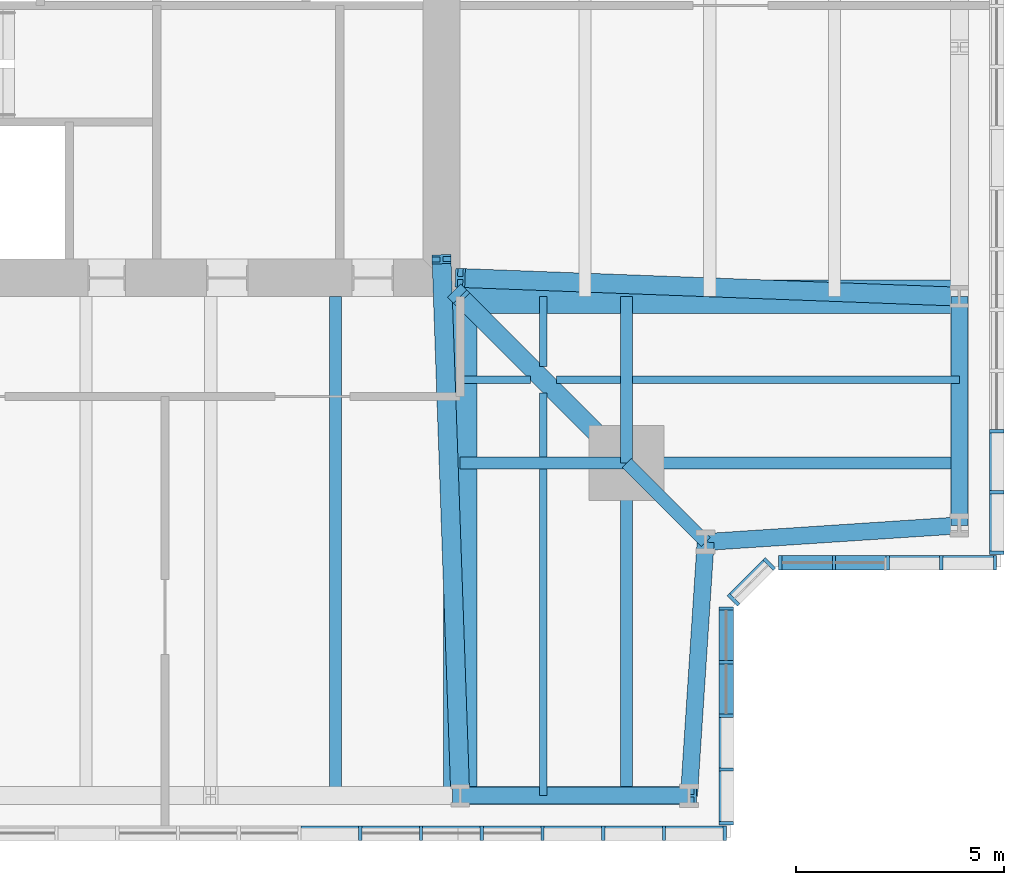
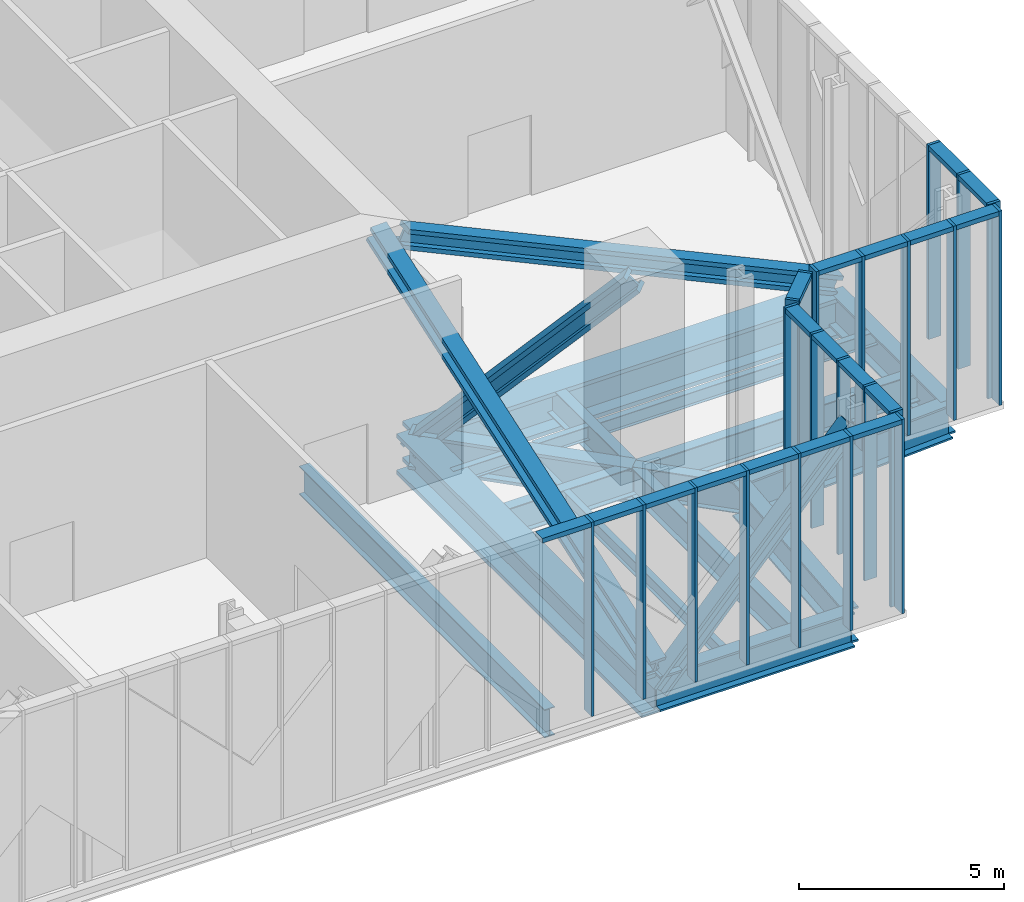
# One storey, part 4 of 18: 44 members, 19 beams, 5 elements without a shape of their own.
"""IFC4 building model written with IfcOpenShell, lengths in metres."""

from ifc_helpers import new_model, si_unit, direction, frame, origin, origin_2d, place, context, subcontext, project, spatial, rectangle, i_section, extrude, material, material_profile, profile_set, type_object, element, aggregate, save


model = new_model("IFC4")

# Units and contexts
model_context = context("Model", 3, precision=1e-05, world=origin(), true_north=direction((0.0, 1.0)))
body_context = subcontext(model_context, "Body", "Model", "MODEL_VIEW")
ifc_project = project(units=[si_unit("LENGTHUNIT", "METRE"), si_unit("AREAUNIT", "SQUARE_METRE"), si_unit("VOLUMEUNIT", "CUBIC_METRE"), si_unit("PLANEANGLEUNIT", "RADIAN"), si_unit("MASSUNIT", "GRAM", prefix="KILO")], contexts=[model_context])

# Site, building, storey
site_placement = place(None, origin())
site = spatial("IfcSite", under=ifc_project, at=site_placement, CompositionType="ELEMENT")
building_placement = place(site_placement, origin())
building = spatial("IfcBuilding", under=site, at=building_placement, Name="Fenwick Lantern Interchange", CompositionType="ELEMENT")
storey_placement = place(building_placement, frame((0.0, 0.0, 301.800048828125)))
storey = spatial("IfcBuildingStorey", under=building, at=storey_placement, Name="L73", CompositionType="ELEMENT", Elevation=301.800048828125)

# Member
ifc_material_1 = material(Name="Steel ASTM A992 Grade 50", Category="steel")
ifc_material_profile_1 = material_profile(ifc_material_1, i_section(OverallWidth=0.431884765625, OverallDepth=0.497802734375, WebThickness=0.0556640625, FlangeThickness=0.0888671875, at=origin_2d()), Name="W14X500")
ifc_profile_set_1 = profile_set([ifc_material_profile_1], Name="Steel ASTM A992 Grade 50")
member_type_1 = type_object("IfcMemberType", Name="BELT TRUSS DIAGONAL W14X500", PredefinedType="BRACE", material=ifc_profile_set_1)
member_1_placement = place(storey_placement, frame((37.0, 1.0, -0.650146484375), z_axis=(0.675724628517, 0.0, 0.737154140201), x_axis=(0.0, 1.0, 0.0)))
element("IfcMember", 1, at=member_1_placement, inside=storey, type_object=member_type_1, Name="L73/BT/S/D6", PredefinedType="BRACE", context=body_context, shape_type="SweptSolid", body=[
    extrude(i_section(OverallWidth=0.431884765625, OverallDepth=0.497802734375, WebThickness=0.0556640625, FlangeThickness=0.0888671875, at=origin_2d()), origin(), (0.0, 0.0, 1.0), 8.139404296875),
])

# Beams
ifc_material_profile_2 = material_profile(ifc_material_1, i_section(OverallWidth=0.408935546875, OverallDepth=1.04150390625, WebThickness=0.031005859375, FlangeThickness=0.055908203125, at=origin_2d()), Name="W40X397")
ifc_profile_set_2 = profile_set([ifc_material_profile_2], Name="Steel ASTM A992 Grade 50")
beam_type_1 = type_object("IfcBeamType", Name="EDGE BEAM W40X397", PredefinedType="SPANDREL", material=ifc_profile_set_2)
beam_1_placement = place(storey_placement, frame((37.0, 1.0, -0.720703125), z_axis=(1.0, 0.0, 0.0), x_axis=(0.0, 1.0, 0.0)))
element("IfcBeam", 2, at=beam_1_placement, inside=storey, type_object=beam_type_1, Name="L73/FR/S/EB4", PredefinedType="SPANDREL", context=body_context, shape_type="SweptSolid", body=[
    extrude(i_section(OverallWidth=0.408935546875, OverallDepth=1.04150390625, WebThickness=0.031005859375, FlangeThickness=0.055908203125, at=origin_2d()), origin(), (0.0, 0.0, 1.0), 5.5),
])
for number, where, z_axis, x_axis, name in (
    (3, (42.5, 1.0, -0.720703125), (0.065416293237, 0.997858060337, 0.0), (-0.997858060337, 0.065416293237, 0.0), "L73/FR/S/EBR1"),
    (4, (42.89990234375, 7.10009765625, -0.720703125), (0.997858060337, 0.065416293237, 0.0), (-0.065416293237, 0.997858060337, 0.0), "L73/FR/S/EBR2"),
):
    element("IfcBeam", number, at=place(storey_placement, frame(where, z_axis=z_axis, x_axis=x_axis)), inside=storey, type_object=beam_type_1, Name=name, PredefinedType="SPANDREL", context=body_context, shape_type="SweptSolid", body=[
        extrude(i_section(OverallWidth=0.408935546875, OverallDepth=1.04150390625, WebThickness=0.031005859375, FlangeThickness=0.055908203125, at=origin_2d()), origin(), (0.0, 0.0, 1.0), 6.11328125),
    ])
beam_2_placement = place(storey_placement, frame((49.0, 7.5, -0.720703125), z_axis=(0.0, 1.0, 0.0), x_axis=(-1.0, 0.0, 0.0)))
element("IfcBeam", 5, at=beam_2_placement, inside=storey, type_object=beam_type_1, Name="L73/FR/E/EB1", PredefinedType="SPANDREL", context=body_context, shape_type="SweptSolid", body=[
    extrude(i_section(OverallWidth=0.408935546875, OverallDepth=1.04150390625, WebThickness=0.031005859375, FlangeThickness=0.055908203125, at=origin_2d()), origin(), (0.0, 0.0, 1.0), 5.5),
])
ifc_material_profile_3 = material_profile(ifc_material_1, i_section(OverallWidth=0.2919921875, OverallDepth=0.845703125, WebThickness=0.015380859375, FlangeThickness=0.0244140625, at=origin_2d()), Name="W33X141")
ifc_profile_set_3 = profile_set([ifc_material_profile_3], Name="Steel ASTM A992 Grade 50")
beam_type_2 = type_object("IfcBeamType", Name="FLOOR BEAM W33X141", PredefinedType="BEAM", material=ifc_profile_set_3)
beam_3_placement = place(storey_placement, frame((34.0, 1.0, -0.623046875), z_axis=(0.0, 1.0, 0.0), x_axis=(-1.0, 0.0, 0.0)))
element("IfcBeam", 6, at=beam_3_placement, inside=storey, type_object=beam_type_2, Name="L73/FR/S/R08", PredefinedType="BEAM", context=body_context, shape_type="SweptSolid", body=[
    extrude(i_section(OverallWidth=0.2919921875, OverallDepth=0.845703125, WebThickness=0.015380859375, FlangeThickness=0.0244140625, at=origin_2d()), origin(), (0.0, 0.0, 1.0), 12.0),
])
ifc_material_profile_4 = material_profile(ifc_material_1, i_section(OverallWidth=0.177734375, OverallDepth=0.406494140625, WebThickness=0.0078125, FlangeThickness=0.012939453125, at=origin_2d()), Name="W16X40")
ifc_profile_set_4 = profile_set([ifc_material_profile_4], Name="Steel ASTM A992 Grade 50")
beam_type_3 = type_object("IfcBeamType", Name="INFILL BEAM W16X40", PredefinedType="JOIST", material=ifc_profile_set_4)
beam_4_placement = place(storey_placement, frame((49.0, 11.0, -0.4033203125), z_axis=(-1.0, 0.0, 0.0), x_axis=(0.0, -1.0, 0.0)))
element("IfcBeam", 7, at=beam_4_placement, inside=storey, type_object=beam_type_3, Name="L73/FR/E/J1", PredefinedType="JOIST", context=body_context, shape_type="SweptSolid", body=[
    extrude(i_section(OverallWidth=0.177734375, OverallDepth=0.406494140625, WebThickness=0.0078125, FlangeThickness=0.012939453125, at=origin_2d()), origin(), (0.0, 0.0, 1.0), 7.85400390625),
])
beam_5_placement = place(storey_placement, frame((40.85400390625, 11.0, -0.4033203125), z_axis=(-1.0, 0.0, 0.0), x_axis=(0.0, -1.0, 0.0)))
element("IfcBeam", 8, at=beam_5_placement, inside=storey, type_object=beam_type_3, Name="L73/FR/E/J2", PredefinedType="JOIST", context=body_context, shape_type="SweptSolid", body=[
    extrude(i_section(OverallWidth=0.177734375, OverallDepth=0.406494140625, WebThickness=0.0078125, FlangeThickness=0.012939453125, at=origin_2d()), origin(), (0.0, 0.0, 1.0), 1.537841796875),
])
beam_6_placement = place(storey_placement, frame((38.683837890625, 11.0, -0.4033203125), z_axis=(-1.0, 0.0, 0.0), x_axis=(0.0, -1.0, 0.0)))
element("IfcBeam", 9, at=beam_6_placement, inside=storey, type_object=beam_type_3, Name="L73/FR/E/J6", PredefinedType="JOIST", context=body_context, shape_type="SweptSolid", body=[
    extrude(i_section(OverallWidth=0.177734375, OverallDepth=0.406494140625, WebThickness=0.0078125, FlangeThickness=0.012939453125, at=origin_2d()), origin(), (0.0, 0.0, 1.0), 1.683837890625),
])
beam_7_placement = place(storey_placement, frame((39.0, 1.0, -0.4033203125), z_axis=(0.0, 1.0, 0.0), x_axis=(-1.0, 0.0, 0.0)))
element("IfcBeam", 10, at=beam_7_placement, inside=storey, type_object=beam_type_3, Name="L73/FR/E/J3", PredefinedType="JOIST", context=body_context, shape_type="SweptSolid", body=[
    extrude(i_section(OverallWidth=0.177734375, OverallDepth=0.406494140625, WebThickness=0.0078125, FlangeThickness=0.012939453125, at=origin_2d()), origin(), (0.0, 0.0, 1.0), 7.85400390625),
])
beam_8_placement = place(storey_placement, frame((39.0, 9.14599609375, -0.4033203125), z_axis=(0.0, 1.0, 0.0), x_axis=(-1.0, 0.0, 0.0)))
element("IfcBeam", 11, at=beam_8_placement, inside=storey, type_object=beam_type_3, Name="L73/FR/E/J4", PredefinedType="JOIST", context=body_context, shape_type="SweptSolid", body=[
    extrude(i_section(OverallWidth=0.177734375, OverallDepth=0.406494140625, WebThickness=0.0078125, FlangeThickness=0.012939453125, at=origin_2d()), origin(), (0.0, 0.0, 1.0), 1.537841796875),
])
beam_9_placement = place(storey_placement, frame((39.0, 11.316162109375, -0.4033203125), z_axis=(0.0, 1.0, 0.0), x_axis=(-1.0, 0.0, 0.0)))
element("IfcBeam", 12, at=beam_9_placement, inside=storey, type_object=beam_type_3, Name="L73/FR/E/J5", PredefinedType="JOIST", context=body_context, shape_type="SweptSolid", body=[
    extrude(i_section(OverallWidth=0.177734375, OverallDepth=0.406494140625, WebThickness=0.0078125, FlangeThickness=0.012939453125, at=origin_2d()), origin(), (0.0, 0.0, 1.0), 1.683837890625),
])

# Curtain wall, members
ifc_material_2 = material(Name="Aluminium curtain wall frame", Category="aluminium")
curtain_wall_type = type_object("IfcCurtainWallType", Name="LANTERN GLAZING", PredefinedType="USERDEFINED", material=ifc_material_2)
curtain_wall_1_placement = place(storey_placement, origin())
curtain_wall_1 = element("IfcCurtainWall", 13, at=curtain_wall_1_placement, inside=storey, type_object=curtain_wall_type, Name="Lantern glazing 01", ObjectType="LANTERN GLAZING", PredefinedType="USERDEFINED")
ifc_material_3 = material(Name="Aluminium extrusion", Category="aluminium")
ifc_material_profile_5 = material_profile(ifc_material_3, rectangle(XDim=0.35009765625, YDim=0.080078125, at=origin_2d()), Name="LANTERN GLAZING MULLION 80 X 350")
ifc_profile_set_5 = profile_set([ifc_material_profile_5], Name="Aluminium extrusion")
member_type_2 = type_object("IfcMemberType", Name="LANTERN GLAZING MULLION 80 X 350", PredefinedType="MULLION", material=ifc_profile_set_5)
member_2_placement = place(storey_placement, frame((34.59521484375, 0.10009765625, 0.0), z_axis=(0.0, 0.0, 1.0), x_axis=(0.0, 1.0, 0.0)))
member_2 = element("IfcMember", 14, at=member_2_placement, type_object=member_type_2, Name="L73/CW/01/M19", PredefinedType="MULLION", context=body_context, shape_type="SweptSolid", body=[
    extrude(rectangle(XDim=0.35009765625, YDim=0.080078125, at=origin_2d()), origin(), (0.0, 0.0, 1.0), 5.800048828125),
])
member_3_placement = place(storey_placement, frame((36.055908203125, 0.10009765625, 0.0), z_axis=(0.0, 0.0, 1.0), x_axis=(0.0, 1.0, 0.0)))
member_3 = element("IfcMember", 15, at=member_3_placement, type_object=member_type_2, Name="L73/CW/01/M20", PredefinedType="MULLION", context=body_context, shape_type="SweptSolid", body=[
    extrude(rectangle(XDim=0.35009765625, YDim=0.080078125, at=origin_2d()), origin(), (0.0, 0.0, 1.0), 5.800048828125),
])
member_4_placement = place(storey_placement, frame((37.516845703125, 0.10009765625, 0.0), z_axis=(0.0, 0.0, 1.0), x_axis=(0.0, 1.0, 0.0)))
member_4 = element("IfcMember", 16, at=member_4_placement, type_object=member_type_2, Name="L73/CW/01/M21", PredefinedType="MULLION", context=body_context, shape_type="SweptSolid", body=[
    extrude(rectangle(XDim=0.35009765625, YDim=0.080078125, at=origin_2d()), origin(), (0.0, 0.0, 1.0), 5.800048828125),
])
member_5_placement = place(storey_placement, frame((38.9775390625, 0.10009765625, 0.0), z_axis=(0.0, 0.0, 1.0), x_axis=(0.0, 1.0, 0.0)))
member_5 = element("IfcMember", 17, at=member_5_placement, type_object=member_type_2, Name="L73/CW/01/M22", PredefinedType="MULLION", context=body_context, shape_type="SweptSolid", body=[
    extrude(rectangle(XDim=0.35009765625, YDim=0.080078125, at=origin_2d()), origin(), (0.0, 0.0, 1.0), 5.800048828125),
])
member_6_placement = place(storey_placement, frame((40.4384765625, 0.10009765625, 0.0), z_axis=(0.0, 0.0, 1.0), x_axis=(0.0, 1.0, 0.0)))
member_6 = element("IfcMember", 18, at=member_6_placement, type_object=member_type_2, Name="L73/CW/01/M23", PredefinedType="MULLION", context=body_context, shape_type="SweptSolid", body=[
    extrude(rectangle(XDim=0.35009765625, YDim=0.080078125, at=origin_2d()), origin(), (0.0, 0.0, 1.0), 5.800048828125),
])
member_7_placement = place(storey_placement, frame((41.899169921875, 0.10009765625, 0.0), z_axis=(0.0, 0.0, 1.0), x_axis=(0.0, 1.0, 0.0)))
member_7 = element("IfcMember", 19, at=member_7_placement, type_object=member_type_2, Name="L73/CW/01/M24", PredefinedType="MULLION", context=body_context, shape_type="SweptSolid", body=[
    extrude(rectangle(XDim=0.35009765625, YDim=0.080078125, at=origin_2d()), origin(), (0.0, 0.0, 1.0), 5.800048828125),
])
member_8_placement = place(storey_placement, frame((43.360107421875, 0.10009765625, 0.0), z_axis=(0.0, 0.0, 1.0), x_axis=(0.0, 1.0, 0.0)))
member_8 = element("IfcMember", 20, at=member_8_placement, type_object=member_type_2, Name="L73/CW/01/M25", PredefinedType="MULLION", context=body_context, shape_type="SweptSolid", body=[
    extrude(rectangle(XDim=0.35009765625, YDim=0.080078125, at=origin_2d()), origin(), (0.0, 0.0, 1.0), 5.800048828125),
])

curtain_wall_2_placement = place(storey_placement, origin())
curtain_wall_2 = element("IfcCurtainWall", 21, at=curtain_wall_2_placement, inside=storey, type_object=curtain_wall_type, Name="Lantern glazing 02", ObjectType="LANTERN GLAZING", PredefinedType="USERDEFINED")
member_9_placement = place(storey_placement, frame((43.39990234375, 0.340087890625, 0.0), z_axis=(0.0, 0.0, 1.0), x_axis=(-1.0, 0.0, 0.0)))
member_9 = element("IfcMember", 22, at=member_9_placement, type_object=member_type_2, Name="L73/CW/02/M00", PredefinedType="MULLION", context=body_context, shape_type="SweptSolid", body=[
    extrude(rectangle(XDim=0.35009765625, YDim=0.080078125, at=origin_2d()), origin(), (0.0, 0.0, 1.0), 5.800048828125),
])
member_10_placement = place(storey_placement, frame((43.39990234375, 1.63037109375, 0.0), z_axis=(0.0, 0.0, 1.0), x_axis=(-1.0, 0.0, 0.0)))
member_10 = element("IfcMember", 23, at=member_10_placement, type_object=member_type_2, Name="L73/CW/02/M01", PredefinedType="MULLION", context=body_context, shape_type="SweptSolid", body=[
    extrude(rectangle(XDim=0.35009765625, YDim=0.080078125, at=origin_2d()), origin(), (0.0, 0.0, 1.0), 5.800048828125),
])
member_11_placement = place(storey_placement, frame((43.39990234375, 2.920654296875, 0.0), z_axis=(0.0, 0.0, 1.0), x_axis=(-1.0, 0.0, 0.0)))
member_11 = element("IfcMember", 24, at=member_11_placement, type_object=member_type_2, Name="L73/CW/02/M02", PredefinedType="MULLION", context=body_context, shape_type="SweptSolid", body=[
    extrude(rectangle(XDim=0.35009765625, YDim=0.080078125, at=origin_2d()), origin(), (0.0, 0.0, 1.0), 5.800048828125),
])
member_12_placement = place(storey_placement, frame((43.39990234375, 4.211181640625, 0.0), z_axis=(0.0, 0.0, 1.0), x_axis=(-1.0, 0.0, 0.0)))
member_12 = element("IfcMember", 25, at=member_12_placement, type_object=member_type_2, Name="L73/CW/02/M03", PredefinedType="MULLION", context=body_context, shape_type="SweptSolid", body=[
    extrude(rectangle(XDim=0.35009765625, YDim=0.080078125, at=origin_2d()), origin(), (0.0, 0.0, 1.0), 5.800048828125),
])
member_13_placement = place(storey_placement, frame((43.39990234375, 5.50146484375, 0.0), z_axis=(0.0, 0.0, 1.0), x_axis=(-1.0, 0.0, 0.0)))
member_13 = element("IfcMember", 26, at=member_13_placement, type_object=member_type_2, Name="L73/CW/02/M04", PredefinedType="MULLION", context=body_context, shape_type="SweptSolid", body=[
    extrude(rectangle(XDim=0.35009765625, YDim=0.080078125, at=origin_2d()), origin(), (0.0, 0.0, 1.0), 5.800048828125),
])

curtain_wall_3_placement = place(storey_placement, origin())
curtain_wall_3 = element("IfcCurtainWall", 27, at=curtain_wall_3_placement, inside=storey, type_object=curtain_wall_type, Name="Lantern glazing 03", ObjectType="LANTERN GLAZING", PredefinedType="USERDEFINED")
member_14_placement = place(storey_placement, frame((43.56982421875, 5.711181640625, 0.0), z_axis=(0.0, 0.0, 1.0), x_axis=(-0.707106781187, 0.707106781187, 0.0)))
member_14 = element("IfcMember", 28, at=member_14_placement, type_object=member_type_2, Name="L73/CW/03/M00", PredefinedType="MULLION", context=body_context, shape_type="SweptSolid", body=[
    extrude(rectangle(XDim=0.35009765625, YDim=0.080078125, at=origin_2d()), origin(), (0.0, 0.0, 1.0), 5.800048828125),
])
member_15_placement = place(storey_placement, frame((44.43017578125, 6.57177734375, 0.0), z_axis=(0.0, 0.0, 1.0), x_axis=(-0.707106781187, 0.707106781187, 0.0)))
member_15 = element("IfcMember", 29, at=member_15_placement, type_object=member_type_2, Name="L73/CW/03/M01", PredefinedType="MULLION", context=body_context, shape_type="SweptSolid", body=[
    extrude(rectangle(XDim=0.35009765625, YDim=0.080078125, at=origin_2d()), origin(), (0.0, 0.0, 1.0), 5.800048828125),
])

curtain_wall_4_placement = place(storey_placement, origin())
curtain_wall_4 = element("IfcCurtainWall", 30, at=curtain_wall_4_placement, inside=storey, type_object=curtain_wall_type, Name="Lantern glazing 04", ObjectType="LANTERN GLAZING", PredefinedType="USERDEFINED")
member_16_placement = place(storey_placement, frame((44.698486328125, 6.60009765625, 0.0), z_axis=(0.0, 0.0, 1.0), x_axis=(0.0, 1.0, 0.0)))
member_16 = element("IfcMember", 31, at=member_16_placement, type_object=member_type_2, Name="L73/CW/04/M00", PredefinedType="MULLION", context=body_context, shape_type="SweptSolid", body=[
    extrude(rectangle(XDim=0.35009765625, YDim=0.080078125, at=origin_2d()), origin(), (0.0, 0.0, 1.0), 5.800048828125),
])
member_17_placement = place(storey_placement, frame((45.989013671875, 6.60009765625, 0.0), z_axis=(0.0, 0.0, 1.0), x_axis=(0.0, 1.0, 0.0)))
member_17 = element("IfcMember", 32, at=member_17_placement, type_object=member_type_2, Name="L73/CW/04/M01", PredefinedType="MULLION", context=body_context, shape_type="SweptSolid", body=[
    extrude(rectangle(XDim=0.35009765625, YDim=0.080078125, at=origin_2d()), origin(), (0.0, 0.0, 1.0), 5.800048828125),
])
member_18_placement = place(storey_placement, frame((47.279296875, 6.60009765625, 0.0), z_axis=(0.0, 0.0, 1.0), x_axis=(0.0, 1.0, 0.0)))
member_18 = element("IfcMember", 33, at=member_18_placement, type_object=member_type_2, Name="L73/CW/04/M02", PredefinedType="MULLION", context=body_context, shape_type="SweptSolid", body=[
    extrude(rectangle(XDim=0.35009765625, YDim=0.080078125, at=origin_2d()), origin(), (0.0, 0.0, 1.0), 5.800048828125),
])
member_19_placement = place(storey_placement, frame((48.569580078125, 6.60009765625, 0.0), z_axis=(0.0, 0.0, 1.0), x_axis=(0.0, 1.0, 0.0)))
member_19 = element("IfcMember", 34, at=member_19_placement, type_object=member_type_2, Name="L73/CW/04/M03", PredefinedType="MULLION", context=body_context, shape_type="SweptSolid", body=[
    extrude(rectangle(XDim=0.35009765625, YDim=0.080078125, at=origin_2d()), origin(), (0.0, 0.0, 1.0), 5.800048828125),
])
member_20_placement = place(storey_placement, frame((49.860107421875, 6.60009765625, 0.0), z_axis=(0.0, 0.0, 1.0), x_axis=(0.0, 1.0, 0.0)))
member_20 = element("IfcMember", 35, at=member_20_placement, type_object=member_type_2, Name="L73/CW/04/M04", PredefinedType="MULLION", context=body_context, shape_type="SweptSolid", body=[
    extrude(rectangle(XDim=0.35009765625, YDim=0.080078125, at=origin_2d()), origin(), (0.0, 0.0, 1.0), 5.800048828125),
])

curtain_wall_5_placement = place(storey_placement, origin())
curtain_wall_5 = element("IfcCurtainWall", 36, at=curtain_wall_5_placement, inside=storey, type_object=curtain_wall_type, Name="Lantern glazing 05", ObjectType="LANTERN GLAZING", PredefinedType="USERDEFINED")
member_21_placement = place(storey_placement, frame((49.89990234375, 6.840087890625, 0.0), z_axis=(0.0, 0.0, 1.0), x_axis=(-1.0, 0.0, 0.0)))
member_21 = element("IfcMember", 37, at=member_21_placement, type_object=member_type_2, Name="L73/CW/05/M00", PredefinedType="MULLION", context=body_context, shape_type="SweptSolid", body=[
    extrude(rectangle(XDim=0.35009765625, YDim=0.080078125, at=origin_2d()), origin(), (0.0, 0.0, 1.0), 5.800048828125),
])
member_22_placement = place(storey_placement, frame((49.89990234375, 8.30078125, 0.0), z_axis=(0.0, 0.0, 1.0), x_axis=(-1.0, 0.0, 0.0)))
member_22 = element("IfcMember", 38, at=member_22_placement, type_object=member_type_2, Name="L73/CW/05/M01", PredefinedType="MULLION", context=body_context, shape_type="SweptSolid", body=[
    extrude(rectangle(XDim=0.35009765625, YDim=0.080078125, at=origin_2d()), origin(), (0.0, 0.0, 1.0), 5.800048828125),
])
member_23_placement = place(storey_placement, frame((49.89990234375, 9.76171875, 0.0), z_axis=(0.0, 0.0, 1.0), x_axis=(-1.0, 0.0, 0.0)))
member_23 = element("IfcMember", 39, at=member_23_placement, type_object=member_type_2, Name="L73/CW/05/M02", PredefinedType="MULLION", context=body_context, shape_type="SweptSolid", body=[
    extrude(rectangle(XDim=0.35009765625, YDim=0.080078125, at=origin_2d()), origin(), (0.0, 0.0, 1.0), 5.800048828125),
])

# Member
ifc_material_profile_6 = material_profile(ifc_material_3, rectangle(XDim=0.35009765625, YDim=0.139892578125, at=origin_2d()), Name="LANTERN GLAZING TRANSOM 140 X 350")
ifc_profile_set_6 = profile_set([ifc_material_profile_6], Name="Aluminium extrusion")
member_type_3 = type_object("IfcMemberType", Name="LANTERN GLAZING TRANSOM 140 X 350", PredefinedType="MULLION", material=ifc_profile_set_6)
member_24_placement = place(storey_placement, frame((33.17431640625, 0.10009765625, 5.72998046875), z_axis=(1.0, 0.0, 0.0), x_axis=(0.0, 1.0, 0.0)))
member_24 = element("IfcMember", 40, at=member_24_placement, type_object=member_type_3, Name="L73/CW/01/T18", PredefinedType="MULLION", context=body_context, shape_type="SweptSolid", body=[
    extrude(rectangle(XDim=0.35009765625, YDim=0.139892578125, at=origin_2d()), origin(), (0.0, 0.0, 1.0), 1.380859375),
])

member_25_placement = place(storey_placement, frame((34.63525390625, 0.10009765625, 5.72998046875), z_axis=(1.0, 0.0, 0.0), x_axis=(0.0, 1.0, 0.0)))
member_25 = element("IfcMember", 41, at=member_25_placement, type_object=member_type_3, Name="L73/CW/01/T19", PredefinedType="MULLION", context=body_context, shape_type="SweptSolid", body=[
    extrude(rectangle(XDim=0.35009765625, YDim=0.139892578125, at=origin_2d()), origin(), (0.0, 0.0, 1.0), 1.380859375),
])

member_26_placement = place(storey_placement, frame((36.095947265625, 0.10009765625, 5.72998046875), z_axis=(1.0, 0.0, 0.0), x_axis=(0.0, 1.0, 0.0)))
member_26 = element("IfcMember", 42, at=member_26_placement, type_object=member_type_3, Name="L73/CW/01/T20", PredefinedType="MULLION", context=body_context, shape_type="SweptSolid", body=[
    extrude(rectangle(XDim=0.35009765625, YDim=0.139892578125, at=origin_2d()), origin(), (0.0, 0.0, 1.0), 1.380859375),
])

member_27_placement = place(storey_placement, frame((37.556884765625, 0.10009765625, 5.72998046875), z_axis=(1.0, 0.0, 0.0), x_axis=(0.0, 1.0, 0.0)))
member_27 = element("IfcMember", 43, at=member_27_placement, type_object=member_type_3, Name="L73/CW/01/T21", PredefinedType="MULLION", context=body_context, shape_type="SweptSolid", body=[
    extrude(rectangle(XDim=0.35009765625, YDim=0.139892578125, at=origin_2d()), origin(), (0.0, 0.0, 1.0), 1.380615234375),
])

member_28_placement = place(storey_placement, frame((39.017578125, 0.10009765625, 5.72998046875), z_axis=(1.0, 0.0, 0.0), x_axis=(0.0, 1.0, 0.0)))
member_28 = element("IfcMember", 44, at=member_28_placement, type_object=member_type_3, Name="L73/CW/01/T22", PredefinedType="MULLION", context=body_context, shape_type="SweptSolid", body=[
    extrude(rectangle(XDim=0.35009765625, YDim=0.139892578125, at=origin_2d()), origin(), (0.0, 0.0, 1.0), 1.380859375),
])

member_29_placement = place(storey_placement, frame((40.478515625, 0.10009765625, 5.72998046875), z_axis=(1.0, 0.0, 0.0), x_axis=(0.0, 1.0, 0.0)))
member_29 = element("IfcMember", 45, at=member_29_placement, type_object=member_type_3, Name="L73/CW/01/T23", PredefinedType="MULLION", context=body_context, shape_type="SweptSolid", body=[
    extrude(rectangle(XDim=0.35009765625, YDim=0.139892578125, at=origin_2d()), origin(), (0.0, 0.0, 1.0), 1.380615234375),
])

member_30_placement = place(storey_placement, frame((41.939208984375, 0.10009765625, 5.72998046875), z_axis=(1.0, 0.0, 0.0), x_axis=(0.0, 1.0, 0.0)))
member_30 = element("IfcMember", 46, at=member_30_placement, type_object=member_type_3, Name="L73/CW/01/T24", PredefinedType="MULLION", context=body_context, shape_type="SweptSolid", body=[
    extrude(rectangle(XDim=0.35009765625, YDim=0.139892578125, at=origin_2d()), origin(), (0.0, 0.0, 1.0), 1.380859375),
])

aggregate(curtain_wall_1, [member_2, member_3, member_4, member_5, member_6, member_7, member_8, member_24, member_25, member_26, member_27, member_28, member_29, member_30])

member_31_placement = place(storey_placement, frame((43.39990234375, 0.3798828125, 5.72998046875), z_axis=(0.0, 1.0, 0.0), x_axis=(-1.0, 0.0, 0.0)))
member_31 = element("IfcMember", 47, at=member_31_placement, type_object=member_type_3, Name="L73/CW/02/T00", PredefinedType="MULLION", context=body_context, shape_type="SweptSolid", body=[
    extrude(rectangle(XDim=0.35009765625, YDim=0.139892578125, at=origin_2d()), origin(), (0.0, 0.0, 1.0), 1.21044921875),
])

member_32_placement = place(storey_placement, frame((43.39990234375, 1.67041015625, 5.72998046875), z_axis=(0.0, 1.0, 0.0), x_axis=(-1.0, 0.0, 0.0)))
member_32 = element("IfcMember", 48, at=member_32_placement, type_object=member_type_3, Name="L73/CW/02/T01", PredefinedType="MULLION", context=body_context, shape_type="SweptSolid", body=[
    extrude(rectangle(XDim=0.35009765625, YDim=0.139892578125, at=origin_2d()), origin(), (0.0, 0.0, 1.0), 1.210205078125),
])

member_33_placement = place(storey_placement, frame((43.39990234375, 2.960693359375, 5.72998046875), z_axis=(0.0, 1.0, 0.0), x_axis=(-1.0, 0.0, 0.0)))
member_33 = element("IfcMember", 49, at=member_33_placement, type_object=member_type_3, Name="L73/CW/02/T02", PredefinedType="MULLION", context=body_context, shape_type="SweptSolid", body=[
    extrude(rectangle(XDim=0.35009765625, YDim=0.139892578125, at=origin_2d()), origin(), (0.0, 0.0, 1.0), 1.21044921875),
])

member_34_placement = place(storey_placement, frame((43.39990234375, 4.2509765625, 5.72998046875), z_axis=(0.0, 1.0, 0.0), x_axis=(-1.0, 0.0, 0.0)))
member_34 = element("IfcMember", 50, at=member_34_placement, type_object=member_type_3, Name="L73/CW/02/T03", PredefinedType="MULLION", context=body_context, shape_type="SweptSolid", body=[
    extrude(rectangle(XDim=0.35009765625, YDim=0.139892578125, at=origin_2d()), origin(), (0.0, 0.0, 1.0), 1.21044921875),
])

aggregate(curtain_wall_2, [member_9, member_10, member_11, member_12, member_13, member_31, member_32, member_33, member_34])

member_35_placement = place(storey_placement, frame((43.597900390625, 5.739501953125, 5.72998046875), z_axis=(0.707214121873, 0.706999424203, 0.0), x_axis=(-0.706999424203, 0.707214121873, 0.0)))
member_35 = element("IfcMember", 51, at=member_35_placement, type_object=member_type_3, Name="L73/CW/03/T00", PredefinedType="MULLION", context=body_context, shape_type="SweptSolid", body=[
    extrude(rectangle(XDim=0.35009765625, YDim=0.139892578125, at=origin_2d()), origin(), (0.0, 0.0, 1.0), 1.13720703125),
])

aggregate(curtain_wall_3, [member_14, member_15, member_35])

member_36_placement = place(storey_placement, frame((44.738525390625, 6.60009765625, 5.72998046875), z_axis=(1.0, 0.0, 0.0), x_axis=(0.0, 1.0, 0.0)))
member_36 = element("IfcMember", 52, at=member_36_placement, type_object=member_type_3, Name="L73/CW/04/T00", PredefinedType="MULLION", context=body_context, shape_type="SweptSolid", body=[
    extrude(rectangle(XDim=0.35009765625, YDim=0.139892578125, at=origin_2d()), origin(), (0.0, 0.0, 1.0), 1.21044921875),
])

member_37_placement = place(storey_placement, frame((46.029052734375, 6.60009765625, 5.72998046875), z_axis=(1.0, 0.0, 0.0), x_axis=(0.0, 1.0, 0.0)))
member_37 = element("IfcMember", 53, at=member_37_placement, type_object=member_type_3, Name="L73/CW/04/T01", PredefinedType="MULLION", context=body_context, shape_type="SweptSolid", body=[
    extrude(rectangle(XDim=0.35009765625, YDim=0.139892578125, at=origin_2d()), origin(), (0.0, 0.0, 1.0), 1.210205078125),
])

member_38_placement = place(storey_placement, frame((47.3193359375, 6.60009765625, 5.72998046875), z_axis=(1.0, 0.0, 0.0), x_axis=(0.0, 1.0, 0.0)))
member_38 = element("IfcMember", 54, at=member_38_placement, type_object=member_type_3, Name="L73/CW/04/T02", PredefinedType="MULLION", context=body_context, shape_type="SweptSolid", body=[
    extrude(rectangle(XDim=0.35009765625, YDim=0.139892578125, at=origin_2d()), origin(), (0.0, 0.0, 1.0), 1.210205078125),
])

member_39_placement = place(storey_placement, frame((48.609619140625, 6.60009765625, 5.72998046875), z_axis=(1.0, 0.0, 0.0), x_axis=(0.0, 1.0, 0.0)))
member_39 = element("IfcMember", 55, at=member_39_placement, type_object=member_type_3, Name="L73/CW/04/T03", PredefinedType="MULLION", context=body_context, shape_type="SweptSolid", body=[
    extrude(rectangle(XDim=0.35009765625, YDim=0.139892578125, at=origin_2d()), origin(), (0.0, 0.0, 1.0), 1.21044921875),
])

aggregate(curtain_wall_4, [member_16, member_17, member_18, member_19, member_20, member_36, member_37, member_38, member_39])

member_40_placement = place(storey_placement, frame((49.89990234375, 6.8798828125, 5.72998046875), z_axis=(0.0, 1.0, 0.0), x_axis=(-1.0, 0.0, 0.0)))
member_40 = element("IfcMember", 56, at=member_40_placement, type_object=member_type_3, Name="L73/CW/05/T00", PredefinedType="MULLION", context=body_context, shape_type="SweptSolid", body=[
    extrude(rectangle(XDim=0.35009765625, YDim=0.139892578125, at=origin_2d()), origin(), (0.0, 0.0, 1.0), 1.380859375),
])

member_41_placement = place(storey_placement, frame((49.89990234375, 8.3408203125, 5.72998046875), z_axis=(0.0, 1.0, 0.0), x_axis=(-1.0, 0.0, 0.0)))
member_41 = element("IfcMember", 57, at=member_41_placement, type_object=member_type_3, Name="L73/CW/05/T01", PredefinedType="MULLION", context=body_context, shape_type="SweptSolid", body=[
    extrude(rectangle(XDim=0.35009765625, YDim=0.139892578125, at=origin_2d()), origin(), (0.0, 0.0, 1.0), 1.380859375),
])

aggregate(curtain_wall_5, [member_21, member_22, member_23, member_40, member_41])

# Beams
ifc_material_profile_7 = material_profile(ifc_material_1, i_section(OverallWidth=0.2919921875, OverallDepth=0.845703125, WebThickness=0.015380859375, FlangeThickness=0.0244140625, at=origin_2d()), Name="W33X141")
ifc_profile_set_7 = profile_set([ifc_material_profile_7], Name="Steel ASTM A992 Grade 50")
beam_type_4 = type_object("IfcBeamType", Name="MEGA COLUMN BEAM W33X141", PredefinedType="BEAM", material=ifc_profile_set_7)
for number, where, z_axis, x_axis, name in (
    (58, (41.0, 9.0, -0.623046875), (1.0, 0.0, 0.0), (0.0, 1.0, 0.0), "L73/FR/E/MB1"),
    (59, (41.0, 9.0, -0.623046875), (0.0, -1.0, 0.0), (1.0, 0.0, 0.0), "L73/FR/E/MB2"),
):
    element("IfcBeam", number, at=place(storey_placement, frame(where, z_axis=z_axis, x_axis=x_axis)), inside=storey, type_object=beam_type_4, Name=name, PredefinedType="BEAM", context=body_context, shape_type="SweptSolid", body=[
        extrude(i_section(OverallWidth=0.2919921875, OverallDepth=0.845703125, WebThickness=0.015380859375, FlangeThickness=0.0244140625, at=origin_2d()), origin(), (0.0, 0.0, 1.0), 8.0),
    ])
for number, where, z_axis, x_axis, name in (
    (60, (41.0, 9.0, -0.623046875), (0.0, 1.0, 0.0), (-1.0, 0.0, 0.0), "L73/FR/E/MB3"),
    (61, (41.0, 9.0, -0.623046875), (-1.0, 0.0, 0.0), (0.0, -1.0, 0.0), "L73/FR/E/MB4"),
):
    element("IfcBeam", number, at=place(storey_placement, frame(where, z_axis=z_axis, x_axis=x_axis)), inside=storey, type_object=beam_type_4, Name=name, PredefinedType="BEAM", context=body_context, shape_type="SweptSolid", body=[
        extrude(i_section(OverallWidth=0.2919921875, OverallDepth=0.845703125, WebThickness=0.015380859375, FlangeThickness=0.0244140625, at=origin_2d()), origin(), (0.0, 0.0, 1.0), 4.0),
    ])
ifc_material_4 = material(Name="Steel ASTM A572 Grade 42", Category="steel")
ifc_material_profile_8 = material_profile(ifc_material_4, i_section(OverallWidth=0.800048828125, OverallDepth=1.199951171875, WebThickness=0.06005859375, FlangeThickness=0.1201171875, at=origin_2d()), Name="BU1200X800")
ifc_profile_set_8 = profile_set([ifc_material_profile_8], Name="Steel ASTM A572 Grade 42")
beam_type_5 = type_object("IfcBeamType", Name="MOMENT-CONNECTED GIRDER BU1200X800", PredefinedType="BEAM", material=ifc_profile_set_8)
for number, where, z_axis, x_axis, name in (
    (62, (37.0, 1.0, -0.800048828125), (0.0, 1.0, 0.0), (-1.0, 0.0, 0.0), "L73/FR/S/R09"),
    (63, (49.0, 13.0, -0.800048828125), (-1.0, 0.0, 0.0), (0.0, -1.0, 0.0), "L73/FR/E/R01"),
):
    element("IfcBeam", number, at=place(storey_placement, frame(where, z_axis=z_axis, x_axis=x_axis)), inside=storey, type_object=beam_type_5, Name=name, PredefinedType="BEAM", context=body_context, shape_type="SweptSolid", body=[
        extrude(i_section(OverallWidth=0.800048828125, OverallDepth=1.199951171875, WebThickness=0.06005859375, FlangeThickness=0.1201171875, at=origin_2d()), origin(), (0.0, 0.0, 1.0), 12.0),
    ])
ifc_material_profile_9 = material_profile(ifc_material_1, i_section(OverallWidth=0.3046875, OverallDepth=0.911865234375, WebThickness=0.015869140625, FlangeThickness=0.02392578125, at=origin_2d()), Name="W36X150")
ifc_profile_set_9 = profile_set([ifc_material_profile_9], Name="Steel ASTM A992 Grade 50")
beam_type_6 = type_object("IfcBeamType", Name="NOTCH BEAM W36X150", PredefinedType="BEAM", material=ifc_profile_set_9)
beam_10_placement = place(storey_placement, frame((41.0, 9.0, -0.656005859375), z_axis=(0.707106781187, -0.707106781187, 0.0), x_axis=(0.707106781187, 0.707106781187, 0.0)))
element("IfcBeam", 64, at=beam_10_placement, inside=storey, type_object=beam_type_6, Name="L73/FR/E/TG", PredefinedType="BEAM", context=body_context, shape_type="SweptSolid", body=[
    extrude(i_section(OverallWidth=0.3046875, OverallDepth=0.911865234375, WebThickness=0.015869140625, FlangeThickness=0.02392578125, at=origin_2d()), origin(), (0.0, 0.0, 1.0), 2.686767578125),
])
ifc_material_profile_10 = material_profile(ifc_material_1, i_section(OverallWidth=0.447021484375, OverallDepth=1.0439453125, WebThickness=0.050048828125, FlangeThickness=0.08984375, at=origin_2d()), Name="W36X652")
ifc_profile_set_10 = profile_set([ifc_material_profile_10], Name="Steel ASTM A992 Grade 50")
beam_type_7 = type_object("IfcBeamType", Name="OUTRIGGER CHORD W36X652", PredefinedType="BEAM", material=ifc_profile_set_10)
beam_11_placement = place(storey_placement, frame((37.0, 13.0, -0.721923828125), z_axis=(0.707106781187, -0.707106781187, 0.0), x_axis=(0.707106781187, 0.707106781187, 0.0)))
element("IfcBeam", 65, at=beam_11_placement, inside=storey, type_object=beam_type_7, Name="L73/OR/E/BC", PredefinedType="BEAM", context=body_context, shape_type="SweptSolid", body=[
    extrude(i_section(OverallWidth=0.447021484375, OverallDepth=1.0439453125, WebThickness=0.050048828125, FlangeThickness=0.08984375, at=origin_2d()), origin(), (0.0, 0.0, 1.0), 5.65673828125),
])

# Members
ifc_material_profile_11 = material_profile(ifc_material_1, i_section(OverallWidth=0.45458984375, OverallDepth=0.56884765625, WebThickness=0.077880859375, FlangeThickness=0.124755859375, at=origin_2d()), Name="W14X730")
ifc_profile_set_11 = profile_set([ifc_material_profile_11], Name="Steel ASTM A992 Grade 50")
member_type_4 = type_object("IfcMemberType", Name="OUTRIGGER DIAGONAL W14X730", PredefinedType="BRACE", material=ifc_profile_set_11)
member_42_placement = place(storey_placement, frame((37.0, 1.0, 0.0), z_axis=(-0.032223486879, 0.923833206581, 0.381436565252), x_axis=(-0.999392240336, -0.034859001078, 0.0)))
element("IfcMember", 66, at=member_42_placement, inside=storey, type_object=member_type_4, Name="L73/OR/S/W2", PredefinedType="BRACE", context=body_context, shape_type="SweptSolid", body=[
    extrude(i_section(OverallWidth=0.45458984375, OverallDepth=0.56884765625, WebThickness=0.077880859375, FlangeThickness=0.124755859375, at=origin_2d()), origin(), (0.0, 0.0, 1.0), 13.96337890625),
])
member_43_placement = place(storey_placement, frame((37.0, 13.0, -0.721923828125), z_axis=(0.485071250073, -0.485071250073, 0.727606875109), x_axis=(0.707106781187, 0.707106781187, 0.0)))
element("IfcMember", 67, at=member_43_placement, inside=storey, type_object=member_type_4, Name="L73/OR/E/D", PredefinedType="BRACE", context=body_context, shape_type="SweptSolid", body=[
    extrude(i_section(OverallWidth=0.45458984375, OverallDepth=0.56884765625, WebThickness=0.077880859375, FlangeThickness=0.124755859375, at=origin_2d()), origin(), (0.0, 0.0, 1.0), 8.24609375),
])
member_44_placement = place(storey_placement, frame((49.0, 13.0, 0.0), z_axis=(-0.913477570557, 0.034251691946, 0.405444878729), x_axis=(-0.037469600146, -0.999297767968, 0.0)))
element("IfcMember", 68, at=member_44_placement, inside=storey, type_object=member_type_4, Name="L73/OR/E/W1", PredefinedType="BRACE", context=body_context, shape_type="SweptSolid", body=[
    extrude(i_section(OverallWidth=0.45458984375, OverallDepth=0.56884765625, WebThickness=0.077880859375, FlangeThickness=0.124755859375, at=origin_2d()), origin(), (0.0, 0.0, 1.0), 13.13671875),
])

save(model, "model.ifc")
